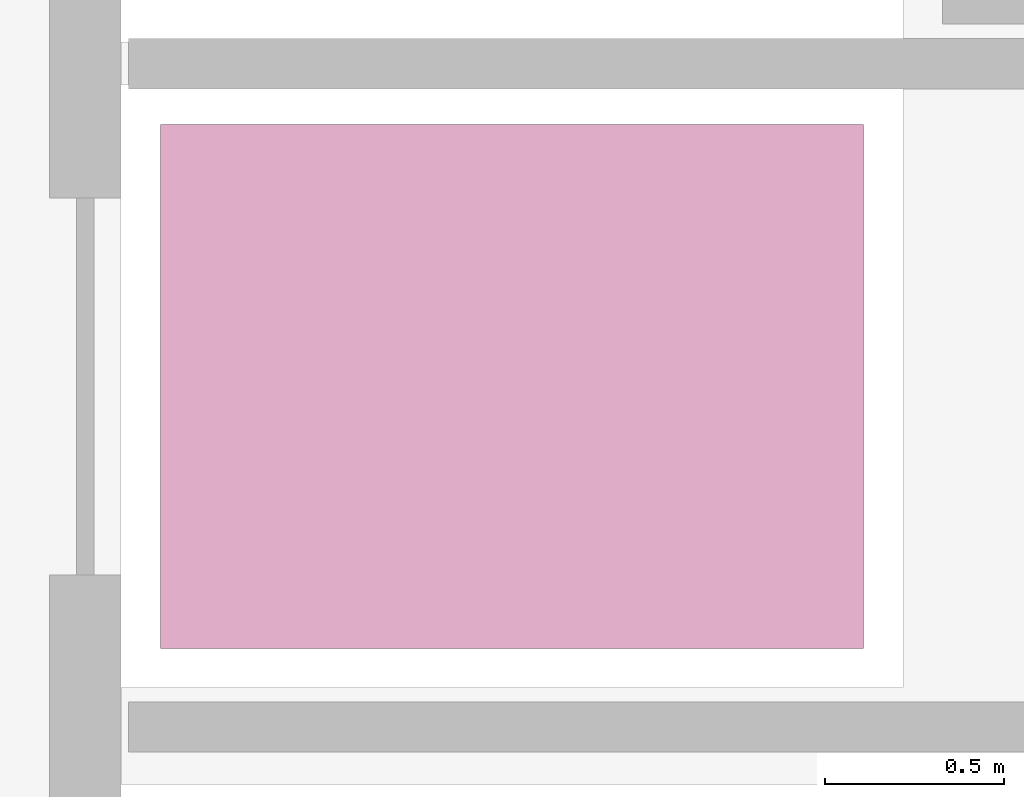
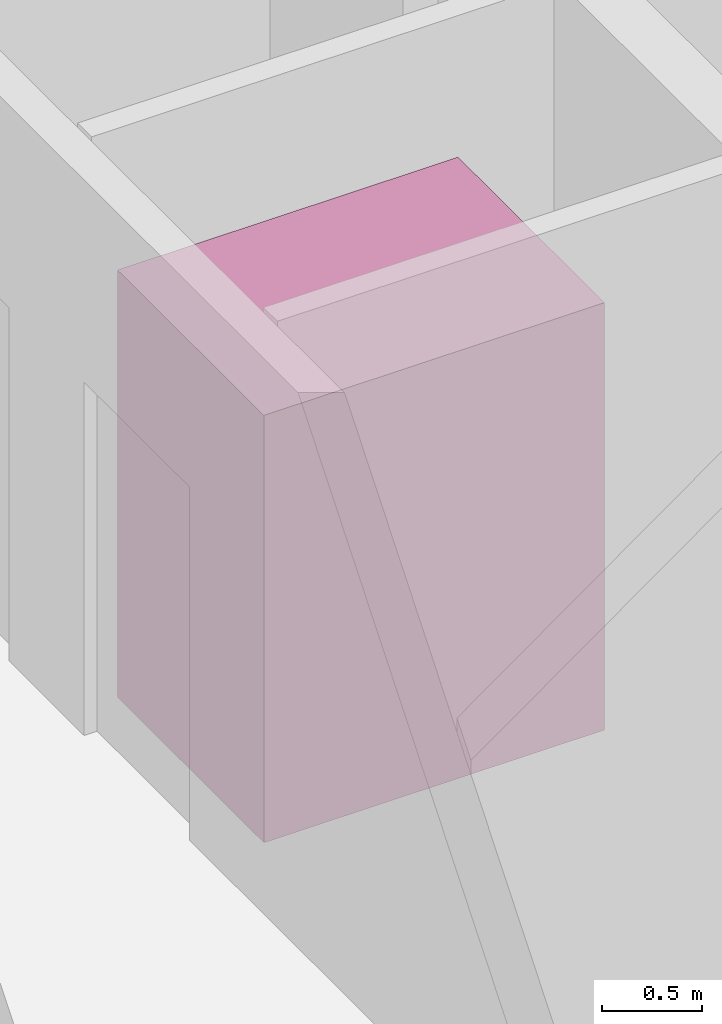
# One storey, part 10 of 10: 1 transport element.
"""IFC4 building model written with IfcOpenShell, lengths in metres."""

import ifcopenshell
import ifcopenshell.guid

model = None  # the IFC model being written
_history = None  # IfcOwnerHistory: only IFC2X3 demands one
_inside = {}  # id of a spatial element -> (the spatial element, [elements in it])
_under = {}  # id of a project, library or spatial element -> (it, [spatial elements below it])
_declared = {}  # id of a project -> (the project, [libraries it declares])
_typed = {}  # id of a type object -> (the type object, [elements of that type])
_made_of = {}  # id of a material, layer set ... -> (it, [elements and type objects made of it])


def new_model(schema):
    """Start an empty IFC model of exactly this schema.

    Asked for "IFC4X3", IfcOpenShell would pick the latest addendum, in which some entities
    have other attributes; the version numbers below select the first issue.
    IFC2X3 requires an IfcOwnerHistory on every rooted entity: one is made here for all.
    """
    global model, _history
    if schema == "IFC4X3":
        model = ifcopenshell.file(schema_version=(4, 3, 0, 0))
    else:
        model = ifcopenshell.file(schema=schema)
    _inside.clear()
    _under.clear()
    _declared.clear()
    _typed.clear()
    _made_of.clear()
    _history = None
    if model.schema == "IFC2X3":
        org = make("IfcOrganization", Name="unknown")
        user = make(
            "IfcPersonAndOrganization",
            ThePerson=make("IfcPerson", FamilyName="unknown"),
            TheOrganization=org,
        )
        app = make(
            "IfcApplication",
            ApplicationDeveloper=org,
            Version="unknown",
            ApplicationFullName="unknown",
            ApplicationIdentifier="unknown",
        )
        _history = make(
            "IfcOwnerHistory",
            OwningUser=user,
            OwningApplication=app,
            ChangeAction="ADDED",
            CreationDate=0,
        )
    return model


def make(cls, **values):
    """One entity of the class cls with the attributes given. An attribute that is None is left unset."""
    return model.create_entity(
        cls, **{name: value for name, value in values.items() if value is not None}
    )


def rooted(cls, **values):
    """An entity with a GlobalId (a new one), such as an element, a storey or a relation."""
    return make(cls, GlobalId=ifcopenshell.guid.new(), OwnerHistory=_history, **values)


def si_unit(unit_type, name, prefix=None):
    """IfcSIUnit, for example si_unit("LENGTHUNIT", "METRE", prefix="MILLI")."""
    return make("IfcSIUnit", UnitType=unit_type, Prefix=prefix, Name=name)


def assignment(units):
    """IfcUnitAssignment: the units of a project."""
    return None if units is None else make("IfcUnitAssignment", Units=units)


def point(xyz):
    """IfcCartesianPoint."""
    return None if xyz is None else make("IfcCartesianPoint", Coordinates=xyz)


def direction(xyz):
    """IfcDirection."""
    return None if xyz is None else make("IfcDirection", DirectionRatios=xyz)


def frame(location, z_axis=None, x_axis=None):
    """IfcAxis2Placement3D, a coordinate frame: its origin and axes. An axis left out is left unset."""
    return make(
        "IfcAxis2Placement3D",
        Location=point(location),
        Axis=direction(z_axis),
        RefDirection=direction(x_axis),
    )


def frame_2d(location, x_axis=None):
    """IfcAxis2Placement2D, a coordinate frame in the plane: its origin and x axis."""
    return make(
        "IfcAxis2Placement2D", Location=point(location), RefDirection=direction(x_axis)
    )


def origin():
    """The frame at (0, 0, 0) with its axes left unset."""
    return frame((0.0, 0.0, 0.0))


def origin_2d():
    """The frame at (0, 0) in the plane with its x axis left unset."""
    return frame_2d((0.0, 0.0))


def place(relative_to, where):
    """IfcLocalPlacement: puts the frame where relative to a parent placement (None: the world)."""
    return make(
        "IfcLocalPlacement", PlacementRelTo=relative_to, RelativePlacement=where
    )


def context(
    kind, dimensions, precision=None, world=None, true_north=None, identifier=None
):
    """IfcGeometricRepresentationContext, for example the 3D "Model" context."""
    return make(
        "IfcGeometricRepresentationContext",
        ContextIdentifier=identifier,
        ContextType=kind,
        CoordinateSpaceDimension=dimensions,
        Precision=precision,
        WorldCoordinateSystem=world,
        TrueNorth=true_north,
    )


def subcontext(parent, identifier, kind, view, scale=None):
    """IfcGeometricRepresentationSubContext, for example "Body" below "Model"."""
    return make(
        "IfcGeometricRepresentationSubContext",
        ContextIdentifier=identifier,
        ContextType=kind,
        ParentContext=parent,
        TargetScale=scale,
        TargetView=view,
    )


def project(units=None, contexts=None):
    """IfcProject with its units and contexts."""
    return rooted(
        "IfcProject",
        Name="project",
        RepresentationContexts=contexts,
        UnitsInContext=assignment(units),
    )


def spatial(cls, under=None, at=None, **own):
    """A site, building, storey or space (cls), placed at a placement, below another one or the project."""
    s = rooted(cls, ObjectPlacement=at, **own)
    if under is not None:
        _under.setdefault(under.id(), (under, []))[1].append(s)
    return s


def profile(cls, at=None, kind="AREA", **sizes):
    """A parametric profile (cls). Its sizes go by their IFC names, for example OverallWidth=200.0."""
    return make(cls, ProfileType=kind, Position=at, **sizes)


def rectangle(**sizes):
    """IfcRectangleProfileDef."""
    return profile("IfcRectangleProfileDef", **sizes)


def extrude(swept, where, along, depth):
    """IfcExtrudedAreaSolid: the profile swept, set in the frame where, extruded along a direction by depth."""
    return make(
        "IfcExtrudedAreaSolid",
        SweptArea=swept,
        Position=where,
        ExtrudedDirection=direction(along),
        Depth=depth,
    )


def shape(context_of_items, identifier, shape_type, items):
    """IfcShapeRepresentation: the items that make up one representation, for example the "Body"."""
    return make(
        "IfcShapeRepresentation",
        ContextOfItems=context_of_items,
        RepresentationIdentifier=identifier,
        RepresentationType=shape_type,
        Items=items,
    )


def material(Name=None, Category=None):
    """IfcMaterial."""
    return make("IfcMaterial", Name=Name, Category=Category)


def made_of(thing, what):
    """Note that an element or type object is made of a material, layer set ...; save() writes the relation."""
    if what is not None:
        _made_of.setdefault(what.id(), (what, []))[1].append(thing)
    return thing


def type_object(cls, material=None, **own):
    """A type object (cls), such as IfcWallType, which elements share."""
    return made_of(rooted(cls, **own), material)


def element(
    cls,
    number,
    at=None,
    inside=None,
    cuts=None,
    type_object=None,
    material=None,
    context=None,
    identifier="Body",
    shape_type=None,
    held_by="IfcProductDefinitionShape",
    body=None,
    shapes=None,
    **own,
):
    """One element of the class cls, such as IfcWall. Its Tag is "e" and its number.

    at: its placement. inside: the storey or other place that contains it. cuts: it is an
    opening in that element (IfcRelVoidsElement). A single representation is given by context,
    identifier, shape_type and body (its items); several are given by shapes. held_by: the class
    of the entity that holds the representations. save() writes the other relations.
    """
    e = rooted(cls, Tag="e%d" % number, ObjectPlacement=at, **own)
    if body is not None:
        shapes = [shape(context, identifier, shape_type, body)]
    if shapes is not None:
        e.Representation = make(held_by, Representations=shapes)
    if inside is not None:
        _inside.setdefault(inside.id(), (inside, []))[1].append(e)
    if cuts is not None:
        rooted(
            "IfcRelVoidsElement", RelatingBuildingElement=cuts, RelatedOpeningElement=e
        )
    if type_object is not None:
        _typed.setdefault(type_object.id(), (type_object, []))[1].append(e)
    return made_of(e, material)


def aggregate(whole, parts):
    """IfcRelAggregates: a whole, such as a stair, and the parts it consists of."""
    return rooted("IfcRelAggregates", RelatingObject=whole, RelatedObjects=parts)


def save(model, path):
    """Write the relations noted so far, then the file.

    IfcRelAggregates (storeys below a building ...), IfcRelContainedInSpatialStructure (elements
    in a storey), IfcRelDefinesByType, IfcRelAssociatesMaterial and IfcRelDeclares: one each for
    every whole, place, type object, material and project.
    """
    for whole, parts in _under.values():
        aggregate(whole, parts)
    for where, things in _inside.values():
        rooted(
            "IfcRelContainedInSpatialStructure",
            RelatedElements=things,
            RelatingStructure=where,
        )
    for kind, things in _typed.values():
        rooted("IfcRelDefinesByType", RelatedObjects=things, RelatingType=kind)
    for what, things in _made_of.values():
        rooted("IfcRelAssociatesMaterial", RelatedObjects=things, RelatingMaterial=what)
    for by, libraries in _declared.values():
        rooted("IfcRelDeclares", RelatingContext=by, RelatedDefinitions=libraries)
    model.write(path)


model = new_model("IFC4")

# Units and contexts
model_context = context("Model", 3, precision=1e-05, world=origin(), true_north=direction((0.0, 1.0)))
body_context = subcontext(model_context, "Body", "Model", "MODEL_VIEW")
ifc_project = project(units=[si_unit("LENGTHUNIT", "METRE"), si_unit("AREAUNIT", "SQUARE_METRE"), si_unit("VOLUMEUNIT", "CUBIC_METRE"), si_unit("PLANEANGLEUNIT", "RADIAN"), si_unit("MASSUNIT", "GRAM", prefix="KILO")], contexts=[model_context])

# Site, building, storey
site_placement = place(None, origin())
site = spatial("IfcSite", under=ifc_project, at=site_placement, CompositionType="ELEMENT")
building_placement = place(site_placement, origin())
building = spatial("IfcBuilding", under=site, at=building_placement, Name="Oramaril Tower", CompositionType="ELEMENT")
storey_placement = place(building_placement, frame((0.0, 0.0, 209.10009765625)))
storey = spatial("IfcBuildingStorey", under=building, at=storey_placement, Name="L55", CompositionType="ELEMENT", Elevation=209.10009765625)

# Transport element
ifc_material = material(Name="Stainless Steel 316L", Category="steel")
transport_element_type = type_object("IfcTransportElementType", Name="LFT-PAX", PredefinedType="ELEVATOR", material=ifc_material)
transport_element_placement = place(storey_placement, frame((39.85009765625, 18.14990234375, -0.000244140625), z_axis=(0.0, 0.0, 1.0), x_axis=(1.0, 0.0, 0.0)))
element("IfcTransportElement", 1, at=transport_element_placement, inside=storey, type_object=transport_element_type, Name="Elevator Car LP-H2", PredefinedType="ELEVATOR", context=body_context, shape_type="SweptSolid", body=[
    extrude(rectangle(XDim=1.9599609375, YDim=1.4599609375, at=origin_2d()), origin(), (0.0, 0.0, 1.0), 2.60009765625),
])

save(model, "model.ifc")
